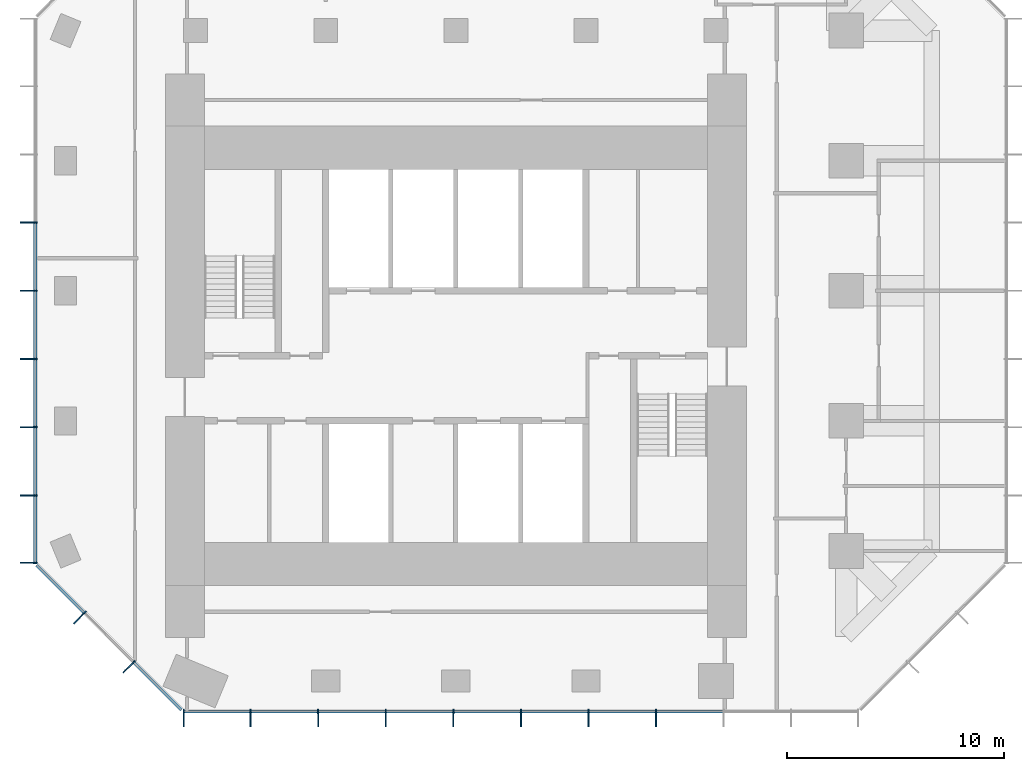
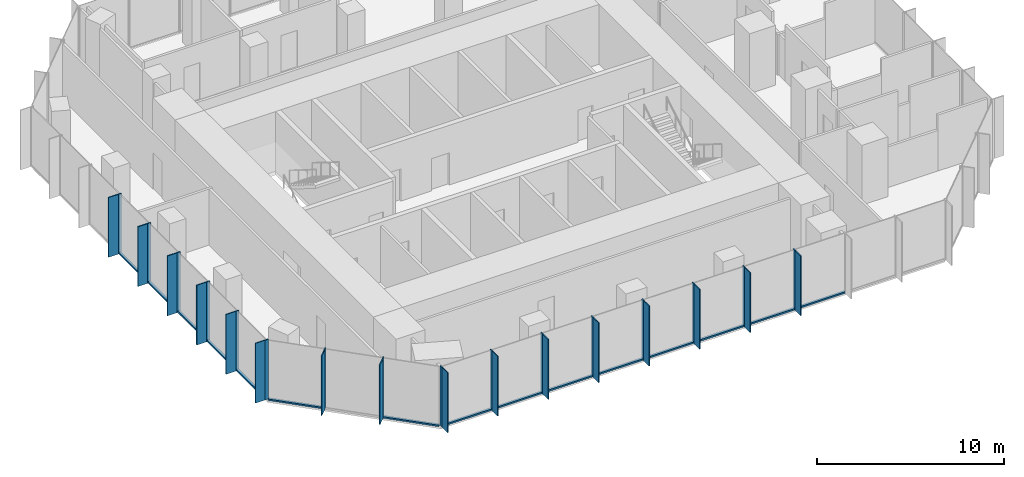
# One storey, part 2 of 11: 47 members, 3 elements without a shape of their own.
"""IFC4 building model written with IfcOpenShell, lengths in metres."""

from ifc_helpers import new_model, si_unit, direction, frame, origin, origin_2d, place, context, subcontext, project, spatial, rectangle, extrude, material, layer, layer_set, material_profile, profile_set, type_object, element, aggregate, save


model = new_model("IFC4")

# Units and contexts
model_context = context("Model", 3, precision=1e-05, world=origin(), true_north=direction((0.0, 1.0)))
body_context = subcontext(model_context, "Body", "Model", "MODEL_VIEW")
ifc_project = project(units=[si_unit("LENGTHUNIT", "METRE"), si_unit("AREAUNIT", "SQUARE_METRE"), si_unit("VOLUMEUNIT", "CUBIC_METRE"), si_unit("PLANEANGLEUNIT", "RADIAN"), si_unit("MASSUNIT", "GRAM", prefix="KILO")], contexts=[model_context])

# Site, building, storey
site_placement = place(None, origin())
site = spatial("IfcSite", under=ifc_project, at=site_placement, CompositionType="ELEMENT")
building_placement = place(site_placement, origin())
building = spatial("IfcBuilding", under=site, at=building_placement, Name="Highveld Stack Headquarters", CompositionType="ELEMENT")
storey_placement = place(building_placement, frame((0.0, 0.0, 260.60009765625)))
storey = spatial("IfcBuildingStorey", under=building, at=storey_placement, Name="L64", CompositionType="ELEMENT", Elevation=260.60009765625)

# Curtain wall, members
ifc_material_1 = material(Name="Aluminium bronze anodised", Category="aluminium")
ifc_layer = layer(ifc_material_1, 0.199951171875)
ifc_layer_set = layer_set([ifc_layer], Name="Aluminium bronze anodised")
curtain_wall_type = type_object("IfcCurtainWallType", Name="CW5 EXECUTIVE UNITISED CURTAIN WALL", PredefinedType="NOTDEFINED", material=ifc_layer_set)
curtain_wall_1_placement = place(storey_placement, origin())
curtain_wall_1 = element("IfcCurtainWall", 1, at=curtain_wall_1_placement, inside=storey, type_object=curtain_wall_type, Name="Curtain wall CW5 L64 S", PredefinedType="NOTDEFINED")
ifc_material_2 = material(Name="Aluminium bronze anodised", Category="aluminium")
ifc_material_profile_1 = material_profile(ifc_material_2, rectangle(XDim=0.60009765625, YDim=0.06005859375, at=origin_2d()), Name="FIN 600x60")
ifc_profile_set_1 = profile_set([ifc_material_profile_1], Name="Aluminium bronze anodised")
member_type_1 = type_object("IfcMemberType", Name="CW5 BRONZE FIN 600x60", PredefinedType="USERDEFINED", material=ifc_profile_set_1)
member_1_placement = place(storey_placement, frame((-6.54736328125, -13.800048828125, 0.0), z_axis=(0.0, 0.0, 1.0), x_axis=(0.0, 1.0, 0.0)))
member_1 = element("IfcMember", 2, at=member_1_placement, type_object=member_type_1, Name="CW5 fin L64 1", ObjectType="FIN", PredefinedType="USERDEFINED", context=body_context, shape_type="SweptSolid", body=[
    extrude(rectangle(XDim=0.60009765625, YDim=0.06005859375, at=origin_2d()), origin(), (0.0, 0.0, 1.0), 3.89990234375),
])
member_2_placement = place(storey_placement, frame((-3.4638671875, -13.800048828125, 0.0), z_axis=(0.0, 0.0, 1.0), x_axis=(0.0, 1.0, 0.0)))
member_2 = element("IfcMember", 3, at=member_2_placement, type_object=member_type_1, Name="CW5 fin L64 2", ObjectType="FIN", PredefinedType="USERDEFINED", context=body_context, shape_type="SweptSolid", body=[
    extrude(rectangle(XDim=0.60009765625, YDim=0.06005859375, at=origin_2d()), origin(), (0.0, 0.0, 1.0), 3.89990234375),
])
member_3_placement = place(storey_placement, frame((-0.347900390625, -13.800048828125, 0.0), z_axis=(0.0, 0.0, 1.0), x_axis=(0.0, 1.0, 0.0)))
member_3 = element("IfcMember", 4, at=member_3_placement, type_object=member_type_1, Name="CW5 fin L64 3", ObjectType="FIN", PredefinedType="USERDEFINED", context=body_context, shape_type="SweptSolid", body=[
    extrude(rectangle(XDim=0.60009765625, YDim=0.06005859375, at=origin_2d()), origin(), (0.0, 0.0, 1.0), 3.89990234375),
])
member_4_placement = place(storey_placement, frame((2.76806640625, -13.800048828125, 0.0), z_axis=(0.0, 0.0, 1.0), x_axis=(0.0, 1.0, 0.0)))
member_4 = element("IfcMember", 5, at=member_4_placement, type_object=member_type_1, Name="CW5 fin L64 4", ObjectType="FIN", PredefinedType="USERDEFINED", context=body_context, shape_type="SweptSolid", body=[
    extrude(rectangle(XDim=0.60009765625, YDim=0.06005859375, at=origin_2d()), origin(), (0.0, 0.0, 1.0), 3.89990234375),
])
member_5_placement = place(storey_placement, frame((5.884033203125, -13.800048828125, 0.0), z_axis=(0.0, 0.0, 1.0), x_axis=(0.0, 1.0, 0.0)))
member_5 = element("IfcMember", 6, at=member_5_placement, type_object=member_type_1, Name="CW5 fin L64 5", ObjectType="FIN", PredefinedType="USERDEFINED", context=body_context, shape_type="SweptSolid", body=[
    extrude(rectangle(XDim=0.60009765625, YDim=0.06005859375, at=origin_2d()), origin(), (0.0, 0.0, 1.0), 3.89990234375),
])
member_6_placement = place(storey_placement, frame((9.0, -13.800048828125, 0.0), z_axis=(0.0, 0.0, 1.0), x_axis=(0.0, 1.0, 0.0)))
member_6 = element("IfcMember", 7, at=member_6_placement, type_object=member_type_1, Name="CW5 fin L64 6", ObjectType="FIN", PredefinedType="USERDEFINED", context=body_context, shape_type="SweptSolid", body=[
    extrude(rectangle(XDim=0.60009765625, YDim=0.06005859375, at=origin_2d()), origin(), (0.0, 0.0, 1.0), 3.89990234375),
])
member_7_placement = place(storey_placement, frame((12.115966796875, -13.800048828125, 0.0), z_axis=(0.0, 0.0, 1.0), x_axis=(0.0, 1.0, 0.0)))
member_7 = element("IfcMember", 8, at=member_7_placement, type_object=member_type_1, Name="CW5 fin L64 7", ObjectType="FIN", PredefinedType="USERDEFINED", context=body_context, shape_type="SweptSolid", body=[
    extrude(rectangle(XDim=0.60009765625, YDim=0.06005859375, at=origin_2d()), origin(), (0.0, 0.0, 1.0), 3.89990234375),
])
member_8_placement = place(storey_placement, frame((15.23193359375, -13.800048828125, 0.0), z_axis=(0.0, 0.0, 1.0), x_axis=(0.0, 1.0, 0.0)))
member_8 = element("IfcMember", 9, at=member_8_placement, type_object=member_type_1, Name="CW5 fin L64 8", ObjectType="FIN", PredefinedType="USERDEFINED", context=body_context, shape_type="SweptSolid", body=[
    extrude(rectangle(XDim=0.60009765625, YDim=0.06005859375, at=origin_2d()), origin(), (0.0, 0.0, 1.0), 3.89990234375),
])

curtain_wall_2_placement = place(storey_placement, origin())
curtain_wall_2 = element("IfcCurtainWall", 10, at=curtain_wall_2_placement, inside=storey, type_object=curtain_wall_type, Name="Curtain wall CW5 L64 W", PredefinedType="NOTDEFINED")
member_9_placement = place(storey_placement, frame((-13.800048828125, 9.14501953125, 0.0), z_axis=(0.0, 0.0, 1.0), x_axis=(1.0, 0.0, 0.0)))
member_9 = element("IfcMember", 11, at=member_9_placement, type_object=member_type_1, Name="CW5 fin L64 4", ObjectType="FIN", PredefinedType="USERDEFINED", context=body_context, shape_type="SweptSolid", body=[
    extrude(rectangle(XDim=0.60009765625, YDim=0.06005859375, at=origin_2d()), origin(), (0.0, 0.0, 1.0), 3.89990234375),
])
member_10_placement = place(storey_placement, frame((-13.800048828125, 6.0, 0.0), z_axis=(0.0, 0.0, 1.0), x_axis=(1.0, 0.0, 0.0)))
member_10 = element("IfcMember", 12, at=member_10_placement, type_object=member_type_1, Name="CW5 fin L64 5", ObjectType="FIN", PredefinedType="USERDEFINED", context=body_context, shape_type="SweptSolid", body=[
    extrude(rectangle(XDim=0.60009765625, YDim=0.06005859375, at=origin_2d()), origin(), (0.0, 0.0, 1.0), 3.89990234375),
])
member_11_placement = place(storey_placement, frame((-13.800048828125, 2.85498046875, 0.0), z_axis=(0.0, 0.0, 1.0), x_axis=(1.0, 0.0, 0.0)))
member_11 = element("IfcMember", 13, at=member_11_placement, type_object=member_type_1, Name="CW5 fin L64 6", ObjectType="FIN", PredefinedType="USERDEFINED", context=body_context, shape_type="SweptSolid", body=[
    extrude(rectangle(XDim=0.60009765625, YDim=0.06005859375, at=origin_2d()), origin(), (0.0, 0.0, 1.0), 3.89990234375),
])
member_12_placement = place(storey_placement, frame((-13.800048828125, -0.2900390625, 0.0), z_axis=(0.0, 0.0, 1.0), x_axis=(1.0, 0.0, 0.0)))
member_12 = element("IfcMember", 14, at=member_12_placement, type_object=member_type_1, Name="CW5 fin L64 7", ObjectType="FIN", PredefinedType="USERDEFINED", context=body_context, shape_type="SweptSolid", body=[
    extrude(rectangle(XDim=0.60009765625, YDim=0.06005859375, at=origin_2d()), origin(), (0.0, 0.0, 1.0), 3.89990234375),
])
member_13_placement = place(storey_placement, frame((-13.800048828125, -3.434814453125, 0.0), z_axis=(0.0, 0.0, 1.0), x_axis=(1.0, 0.0, 0.0)))
member_13 = element("IfcMember", 15, at=member_13_placement, type_object=member_type_1, Name="CW5 fin L64 8", ObjectType="FIN", PredefinedType="USERDEFINED", context=body_context, shape_type="SweptSolid", body=[
    extrude(rectangle(XDim=0.60009765625, YDim=0.06005859375, at=origin_2d()), origin(), (0.0, 0.0, 1.0), 3.89990234375),
])
member_14_placement = place(storey_placement, frame((-13.800048828125, -6.54736328125, 0.0), z_axis=(0.0, 0.0, 1.0), x_axis=(1.0, 0.0, 0.0)))
member_14 = element("IfcMember", 16, at=member_14_placement, type_object=member_type_1, Name="CW5 fin L64 9", ObjectType="FIN", PredefinedType="USERDEFINED", context=body_context, shape_type="SweptSolid", body=[
    extrude(rectangle(XDim=0.60009765625, YDim=0.06005859375, at=origin_2d()), origin(), (0.0, 0.0, 1.0), 3.89990234375),
])

curtain_wall_3_placement = place(storey_placement, origin())
curtain_wall_3 = element("IfcCurtainWall", 17, at=curtain_wall_3_placement, inside=storey, type_object=curtain_wall_type, Name="Curtain wall CW5 L64 SW", PredefinedType="NOTDEFINED")
member_15_placement = place(storey_placement, frame((-11.409423828125, -9.135986328125, 0.0), z_axis=(0.0, 0.0, 1.0), x_axis=(0.707106781187, 0.707106781187, 0.0)))
member_15 = element("IfcMember", 18, at=member_15_placement, type_object=member_type_1, Name="CW5 fin L64 1", ObjectType="FIN", PredefinedType="USERDEFINED", context=body_context, shape_type="SweptSolid", body=[
    extrude(rectangle(XDim=0.60009765625, YDim=0.06005859375, at=origin_2d()), origin(), (0.0, 0.0, 1.0), 3.89990234375),
])
member_16_placement = place(storey_placement, frame((-9.135986328125, -11.409423828125, 0.0), z_axis=(0.0, 0.0, 1.0), x_axis=(0.707106781187, 0.707106781187, 0.0)))
member_16 = element("IfcMember", 19, at=member_16_placement, type_object=member_type_1, Name="CW5 fin L64 2", ObjectType="FIN", PredefinedType="USERDEFINED", context=body_context, shape_type="SweptSolid", body=[
    extrude(rectangle(XDim=0.60009765625, YDim=0.06005859375, at=origin_2d()), origin(), (0.0, 0.0, 1.0), 3.89990234375),
])

# Member
ifc_material_3 = material(Name="Aluminium bronze anodised", Category="aluminium")
ifc_material_profile_2 = material_profile(ifc_material_3, rectangle(XDim=0.199951171875, YDim=0.06494140625, at=origin_2d()), Name="CW5 MULLION 65x200")
ifc_profile_set_2 = profile_set([ifc_material_profile_2], Name="Aluminium bronze anodised")
member_type_2 = type_object("IfcMemberType", Name="CW5 MULLION 65x200", PredefinedType="MULLION", material=ifc_profile_set_2)
member_17_placement = place(storey_placement, frame((-6.54736328125, -13.39990234375, 0.0), z_axis=(0.0, 0.0, 1.0), x_axis=(0.0, 1.0, 0.0)))
member_17 = element("IfcMember", 20, at=member_17_placement, type_object=member_type_2, Name="CW5 mullion L64 1", PredefinedType="MULLION", context=body_context, shape_type="SweptSolid", body=[
    extrude(rectangle(XDim=0.199951171875, YDim=0.06494140625, at=origin_2d()), origin(), (0.0, 0.0, 1.0), 3.89990234375),
])

member_18_placement = place(storey_placement, frame((-3.4638671875, -13.39990234375, 0.0), z_axis=(0.0, 0.0, 1.0), x_axis=(0.0, 1.0, 0.0)))
member_18 = element("IfcMember", 21, at=member_18_placement, type_object=member_type_2, Name="CW5 mullion L64 2", PredefinedType="MULLION", context=body_context, shape_type="SweptSolid", body=[
    extrude(rectangle(XDim=0.199951171875, YDim=0.06494140625, at=origin_2d()), origin(), (0.0, 0.0, 1.0), 3.89990234375),
])

member_19_placement = place(storey_placement, frame((-0.347900390625, -13.39990234375, 0.0), z_axis=(0.0, 0.0, 1.0), x_axis=(0.0, 1.0, 0.0)))
member_19 = element("IfcMember", 22, at=member_19_placement, type_object=member_type_2, Name="CW5 mullion L64 3", PredefinedType="MULLION", context=body_context, shape_type="SweptSolid", body=[
    extrude(rectangle(XDim=0.199951171875, YDim=0.06494140625, at=origin_2d()), origin(), (0.0, 0.0, 1.0), 3.89990234375),
])

member_20_placement = place(storey_placement, frame((2.76806640625, -13.39990234375, 0.0), z_axis=(0.0, 0.0, 1.0), x_axis=(0.0, 1.0, 0.0)))
member_20 = element("IfcMember", 23, at=member_20_placement, type_object=member_type_2, Name="CW5 mullion L64 4", PredefinedType="MULLION", context=body_context, shape_type="SweptSolid", body=[
    extrude(rectangle(XDim=0.199951171875, YDim=0.06494140625, at=origin_2d()), origin(), (0.0, 0.0, 1.0), 3.89990234375),
])

member_21_placement = place(storey_placement, frame((5.884033203125, -13.39990234375, 0.0), z_axis=(0.0, 0.0, 1.0), x_axis=(0.0, 1.0, 0.0)))
member_21 = element("IfcMember", 24, at=member_21_placement, type_object=member_type_2, Name="CW5 mullion L64 5", PredefinedType="MULLION", context=body_context, shape_type="SweptSolid", body=[
    extrude(rectangle(XDim=0.199951171875, YDim=0.06494140625, at=origin_2d()), origin(), (0.0, 0.0, 1.0), 3.89990234375),
])

member_22_placement = place(storey_placement, frame((9.0, -13.39990234375, 0.0), z_axis=(0.0, 0.0, 1.0), x_axis=(0.0, 1.0, 0.0)))
member_22 = element("IfcMember", 25, at=member_22_placement, type_object=member_type_2, Name="CW5 mullion L64 6", PredefinedType="MULLION", context=body_context, shape_type="SweptSolid", body=[
    extrude(rectangle(XDim=0.199951171875, YDim=0.06494140625, at=origin_2d()), origin(), (0.0, 0.0, 1.0), 3.89990234375),
])

member_23_placement = place(storey_placement, frame((12.115966796875, -13.39990234375, 0.0), z_axis=(0.0, 0.0, 1.0), x_axis=(0.0, 1.0, 0.0)))
member_23 = element("IfcMember", 26, at=member_23_placement, type_object=member_type_2, Name="CW5 mullion L64 7", PredefinedType="MULLION", context=body_context, shape_type="SweptSolid", body=[
    extrude(rectangle(XDim=0.199951171875, YDim=0.06494140625, at=origin_2d()), origin(), (0.0, 0.0, 1.0), 3.89990234375),
])

member_24_placement = place(storey_placement, frame((15.23193359375, -13.39990234375, 0.0), z_axis=(0.0, 0.0, 1.0), x_axis=(0.0, 1.0, 0.0)))
member_24 = element("IfcMember", 27, at=member_24_placement, type_object=member_type_2, Name="CW5 mullion L64 8", PredefinedType="MULLION", context=body_context, shape_type="SweptSolid", body=[
    extrude(rectangle(XDim=0.199951171875, YDim=0.06494140625, at=origin_2d()), origin(), (0.0, 0.0, 1.0), 3.89990234375),
])

member_25_placement = place(storey_placement, frame((-13.39990234375, 9.14501953125, 0.0), z_axis=(0.0, 0.0, 1.0), x_axis=(1.0, 0.0, 0.0)))
member_25 = element("IfcMember", 28, at=member_25_placement, type_object=member_type_2, Name="CW5 mullion L64 4", PredefinedType="MULLION", context=body_context, shape_type="SweptSolid", body=[
    extrude(rectangle(XDim=0.199951171875, YDim=0.06494140625, at=origin_2d()), origin(), (0.0, 0.0, 1.0), 3.89990234375),
])

member_26_placement = place(storey_placement, frame((-13.39990234375, 6.0, 0.0), z_axis=(0.0, 0.0, 1.0), x_axis=(1.0, 0.0, 0.0)))
member_26 = element("IfcMember", 29, at=member_26_placement, type_object=member_type_2, Name="CW5 mullion L64 5", PredefinedType="MULLION", context=body_context, shape_type="SweptSolid", body=[
    extrude(rectangle(XDim=0.199951171875, YDim=0.06494140625, at=origin_2d()), origin(), (0.0, 0.0, 1.0), 3.89990234375),
])

member_27_placement = place(storey_placement, frame((-13.39990234375, 2.85498046875, 0.0), z_axis=(0.0, 0.0, 1.0), x_axis=(1.0, 0.0, 0.0)))
member_27 = element("IfcMember", 30, at=member_27_placement, type_object=member_type_2, Name="CW5 mullion L64 6", PredefinedType="MULLION", context=body_context, shape_type="SweptSolid", body=[
    extrude(rectangle(XDim=0.199951171875, YDim=0.06494140625, at=origin_2d()), origin(), (0.0, 0.0, 1.0), 3.89990234375),
])

member_28_placement = place(storey_placement, frame((-13.39990234375, -0.2900390625, 0.0), z_axis=(0.0, 0.0, 1.0), x_axis=(1.0, 0.0, 0.0)))
member_28 = element("IfcMember", 31, at=member_28_placement, type_object=member_type_2, Name="CW5 mullion L64 7", PredefinedType="MULLION", context=body_context, shape_type="SweptSolid", body=[
    extrude(rectangle(XDim=0.199951171875, YDim=0.06494140625, at=origin_2d()), origin(), (0.0, 0.0, 1.0), 3.89990234375),
])

member_29_placement = place(storey_placement, frame((-13.39990234375, -3.434814453125, 0.0), z_axis=(0.0, 0.0, 1.0), x_axis=(1.0, 0.0, 0.0)))
member_29 = element("IfcMember", 32, at=member_29_placement, type_object=member_type_2, Name="CW5 mullion L64 8", PredefinedType="MULLION", context=body_context, shape_type="SweptSolid", body=[
    extrude(rectangle(XDim=0.199951171875, YDim=0.06494140625, at=origin_2d()), origin(), (0.0, 0.0, 1.0), 3.89990234375),
])

member_30_placement = place(storey_placement, frame((-13.39990234375, -6.54736328125, 0.0), z_axis=(0.0, 0.0, 1.0), x_axis=(1.0, 0.0, 0.0)))
member_30 = element("IfcMember", 33, at=member_30_placement, type_object=member_type_2, Name="CW5 mullion L64 9", PredefinedType="MULLION", context=body_context, shape_type="SweptSolid", body=[
    extrude(rectangle(XDim=0.199951171875, YDim=0.06494140625, at=origin_2d()), origin(), (0.0, 0.0, 1.0), 3.89990234375),
])

member_31_placement = place(storey_placement, frame((-11.126708984375, -8.853271484375, 0.0), z_axis=(0.0, 0.0, 1.0), x_axis=(0.707106781187, 0.707106781187, 0.0)))
member_31 = element("IfcMember", 34, at=member_31_placement, type_object=member_type_2, Name="CW5 mullion L64 1", PredefinedType="MULLION", context=body_context, shape_type="SweptSolid", body=[
    extrude(rectangle(XDim=0.199951171875, YDim=0.06494140625, at=origin_2d()), origin(), (0.0, 0.0, 1.0), 3.89990234375),
])

member_32_placement = place(storey_placement, frame((-8.853271484375, -11.126708984375, 0.0), z_axis=(0.0, 0.0, 1.0), x_axis=(0.707106781187, 0.707106781187, 0.0)))
member_32 = element("IfcMember", 35, at=member_32_placement, type_object=member_type_2, Name="CW5 mullion L64 2", PredefinedType="MULLION", context=body_context, shape_type="SweptSolid", body=[
    extrude(rectangle(XDim=0.199951171875, YDim=0.06494140625, at=origin_2d()), origin(), (0.0, 0.0, 1.0), 3.89990234375),
])

ifc_material_4 = material(Name="Aluminium bronze anodised", Category="aluminium")
ifc_material_profile_3 = material_profile(ifc_material_4, rectangle(XDim=0.14990234375, YDim=0.10009765625, at=origin_2d()), Name="CW5 TRANSOM 150x100")
ifc_profile_set_3 = profile_set([ifc_material_profile_3], Name="Aluminium bronze anodised")
member_type_3 = type_object("IfcMemberType", Name="CW5 STACK TRANSOM 150x100", PredefinedType="USERDEFINED", material=ifc_profile_set_3)
member_33_placement = place(storey_placement, frame((-6.514892578125, -13.39990234375, 0.0498046875), z_axis=(1.0, 0.0, 0.0), x_axis=(0.0, 1.0, 0.0)))
member_33 = element("IfcMember", 36, at=member_33_placement, type_object=member_type_3, Name="CW5 transom L64 1.1", ObjectType="TRANSOM", PredefinedType="USERDEFINED", context=body_context, shape_type="SweptSolid", body=[
    extrude(rectangle(XDim=0.14990234375, YDim=0.10009765625, at=origin_2d()), origin(), (0.0, 0.0, 1.0), 3.0185546875),
])

member_34_placement = place(storey_placement, frame((-3.431396484375, -13.39990234375, 0.0498046875), z_axis=(1.0, 0.0, 0.0), x_axis=(0.0, 1.0, 0.0)))
member_34 = element("IfcMember", 37, at=member_34_placement, type_object=member_type_3, Name="CW5 transom L64 2.1", ObjectType="TRANSOM", PredefinedType="USERDEFINED", context=body_context, shape_type="SweptSolid", body=[
    extrude(rectangle(XDim=0.14990234375, YDim=0.10009765625, at=origin_2d()), origin(), (0.0, 0.0, 1.0), 3.051025390625),
])

member_35_placement = place(storey_placement, frame((-0.3154296875, -13.39990234375, 0.0498046875), z_axis=(1.0, 0.0, 0.0), x_axis=(0.0, 1.0, 0.0)))
member_35 = element("IfcMember", 38, at=member_35_placement, type_object=member_type_3, Name="CW5 transom L64 3.1", ObjectType="TRANSOM", PredefinedType="USERDEFINED", context=body_context, shape_type="SweptSolid", body=[
    extrude(rectangle(XDim=0.14990234375, YDim=0.10009765625, at=origin_2d()), origin(), (0.0, 0.0, 1.0), 3.051025390625),
])

member_36_placement = place(storey_placement, frame((2.800537109375, -13.39990234375, 0.0498046875), z_axis=(1.0, 0.0, 0.0), x_axis=(0.0, 1.0, 0.0)))
member_36 = element("IfcMember", 39, at=member_36_placement, type_object=member_type_3, Name="CW5 transom L64 4.1", ObjectType="TRANSOM", PredefinedType="USERDEFINED", context=body_context, shape_type="SweptSolid", body=[
    extrude(rectangle(XDim=0.14990234375, YDim=0.10009765625, at=origin_2d()), origin(), (0.0, 0.0, 1.0), 3.051025390625),
])

member_37_placement = place(storey_placement, frame((5.91650390625, -13.39990234375, 0.0498046875), z_axis=(1.0, 0.0, 0.0), x_axis=(0.0, 1.0, 0.0)))
member_37 = element("IfcMember", 40, at=member_37_placement, type_object=member_type_3, Name="CW5 transom L64 5.1", ObjectType="TRANSOM", PredefinedType="USERDEFINED", context=body_context, shape_type="SweptSolid", body=[
    extrude(rectangle(XDim=0.14990234375, YDim=0.10009765625, at=origin_2d()), origin(), (0.0, 0.0, 1.0), 3.051025390625),
])

member_38_placement = place(storey_placement, frame((9.032470703125, -13.39990234375, 0.0498046875), z_axis=(1.0, 0.0, 0.0), x_axis=(0.0, 1.0, 0.0)))
member_38 = element("IfcMember", 41, at=member_38_placement, type_object=member_type_3, Name="CW5 transom L64 6.1", ObjectType="TRANSOM", PredefinedType="USERDEFINED", context=body_context, shape_type="SweptSolid", body=[
    extrude(rectangle(XDim=0.14990234375, YDim=0.10009765625, at=origin_2d()), origin(), (0.0, 0.0, 1.0), 3.051025390625),
])

member_39_placement = place(storey_placement, frame((12.1484375, -13.39990234375, 0.0498046875), z_axis=(1.0, 0.0, 0.0), x_axis=(0.0, 1.0, 0.0)))
member_39 = element("IfcMember", 42, at=member_39_placement, type_object=member_type_3, Name="CW5 transom L64 7.1", ObjectType="TRANSOM", PredefinedType="USERDEFINED", context=body_context, shape_type="SweptSolid", body=[
    extrude(rectangle(XDim=0.14990234375, YDim=0.10009765625, at=origin_2d()), origin(), (0.0, 0.0, 1.0), 3.051025390625),
])

member_40_placement = place(storey_placement, frame((15.264404296875, -13.39990234375, 0.0498046875), z_axis=(1.0, 0.0, 0.0), x_axis=(0.0, 1.0, 0.0)))
member_40 = element("IfcMember", 43, at=member_40_placement, type_object=member_type_3, Name="CW5 transom L64 8.1", ObjectType="TRANSOM", PredefinedType="USERDEFINED", context=body_context, shape_type="SweptSolid", body=[
    extrude(rectangle(XDim=0.14990234375, YDim=0.10009765625, at=origin_2d()), origin(), (0.0, 0.0, 1.0), 3.051025390625),
])

aggregate(curtain_wall_1, [member_17, member_1, member_18, member_2, member_19, member_3, member_20, member_4, member_21, member_5, member_22, member_6, member_23, member_7, member_24, member_8, member_33, member_34, member_35, member_36, member_37, member_38, member_39, member_40])

member_41_placement = place(storey_placement, frame((-13.39990234375, 9.112548828125, 0.0498046875), z_axis=(0.0, -1.0, 0.0), x_axis=(1.0, 0.0, 0.0)))
member_41 = element("IfcMember", 44, at=member_41_placement, type_object=member_type_3, Name="CW5 transom L64 4.1", ObjectType="TRANSOM", PredefinedType="USERDEFINED", context=body_context, shape_type="SweptSolid", body=[
    extrude(rectangle(XDim=0.14990234375, YDim=0.10009765625, at=origin_2d()), origin(), (0.0, 0.0, 1.0), 3.080078125),
])

member_42_placement = place(storey_placement, frame((-13.39990234375, 5.967529296875, 0.0498046875), z_axis=(0.0, -1.0, 0.0), x_axis=(1.0, 0.0, 0.0)))
member_42 = element("IfcMember", 45, at=member_42_placement, type_object=member_type_3, Name="CW5 transom L64 5.1", ObjectType="TRANSOM", PredefinedType="USERDEFINED", context=body_context, shape_type="SweptSolid", body=[
    extrude(rectangle(XDim=0.14990234375, YDim=0.10009765625, at=origin_2d()), origin(), (0.0, 0.0, 1.0), 3.080078125),
])

member_43_placement = place(storey_placement, frame((-13.39990234375, 2.822509765625, 0.0498046875), z_axis=(0.0, -1.0, 0.0), x_axis=(1.0, 0.0, 0.0)))
member_43 = element("IfcMember", 46, at=member_43_placement, type_object=member_type_3, Name="CW5 transom L64 6.1", ObjectType="TRANSOM", PredefinedType="USERDEFINED", context=body_context, shape_type="SweptSolid", body=[
    extrude(rectangle(XDim=0.14990234375, YDim=0.10009765625, at=origin_2d()), origin(), (0.0, 0.0, 1.0), 3.080078125),
])

member_44_placement = place(storey_placement, frame((-13.39990234375, -0.322509765625, 0.0498046875), z_axis=(0.0, -1.0, 0.0), x_axis=(1.0, 0.0, 0.0)))
member_44 = element("IfcMember", 47, at=member_44_placement, type_object=member_type_3, Name="CW5 transom L64 7.1", ObjectType="TRANSOM", PredefinedType="USERDEFINED", context=body_context, shape_type="SweptSolid", body=[
    extrude(rectangle(XDim=0.14990234375, YDim=0.10009765625, at=origin_2d()), origin(), (0.0, 0.0, 1.0), 3.079833984375),
])

member_45_placement = place(storey_placement, frame((-13.39990234375, -3.46728515625, 0.0498046875), z_axis=(0.0, -1.0, 0.0), x_axis=(1.0, 0.0, 0.0)))
member_45 = element("IfcMember", 48, at=member_45_placement, type_object=member_type_3, Name="CW5 transom L64 8.1", ObjectType="TRANSOM", PredefinedType="USERDEFINED", context=body_context, shape_type="SweptSolid", body=[
    extrude(rectangle(XDim=0.14990234375, YDim=0.10009765625, at=origin_2d()), origin(), (0.0, 0.0, 1.0), 3.047607421875),
])

aggregate(curtain_wall_2, [member_25, member_9, member_26, member_10, member_27, member_11, member_28, member_12, member_29, member_13, member_30, member_14, member_41, member_42, member_43, member_44, member_45])

member_46_placement = place(storey_placement, frame((-13.329345703125, -6.650634765625, 0.0498046875), z_axis=(0.707106781187, -0.707106781187, 0.0), x_axis=(0.707106781187, 0.707106781187, 0.0)))
member_46 = element("IfcMember", 49, at=member_46_placement, type_object=member_type_3, Name="CW5 transom L64 1.1", ObjectType="TRANSOM", PredefinedType="USERDEFINED", context=body_context, shape_type="SweptSolid", body=[
    extrude(rectangle(XDim=0.14990234375, YDim=0.10009765625, at=origin_2d()), origin(), (0.0, 0.0, 1.0), 3.08251953125),
])

member_47_placement = place(storey_placement, frame((-8.830322265625, -11.149658203125, 0.0498046875), z_axis=(0.707106781187, -0.707106781187, 0.0), x_axis=(0.707106781187, 0.707106781187, 0.0)))
member_47 = element("IfcMember", 50, at=member_47_placement, type_object=member_type_3, Name="CW5 transom L64 3.1", ObjectType="TRANSOM", PredefinedType="USERDEFINED", context=body_context, shape_type="SweptSolid", body=[
    extrude(rectangle(XDim=0.14990234375, YDim=0.10009765625, at=origin_2d()), origin(), (0.0, 0.0, 1.0), 3.08251953125),
])

aggregate(curtain_wall_3, [member_31, member_15, member_32, member_16, member_46, member_47])

save(model, "model.ifc")
